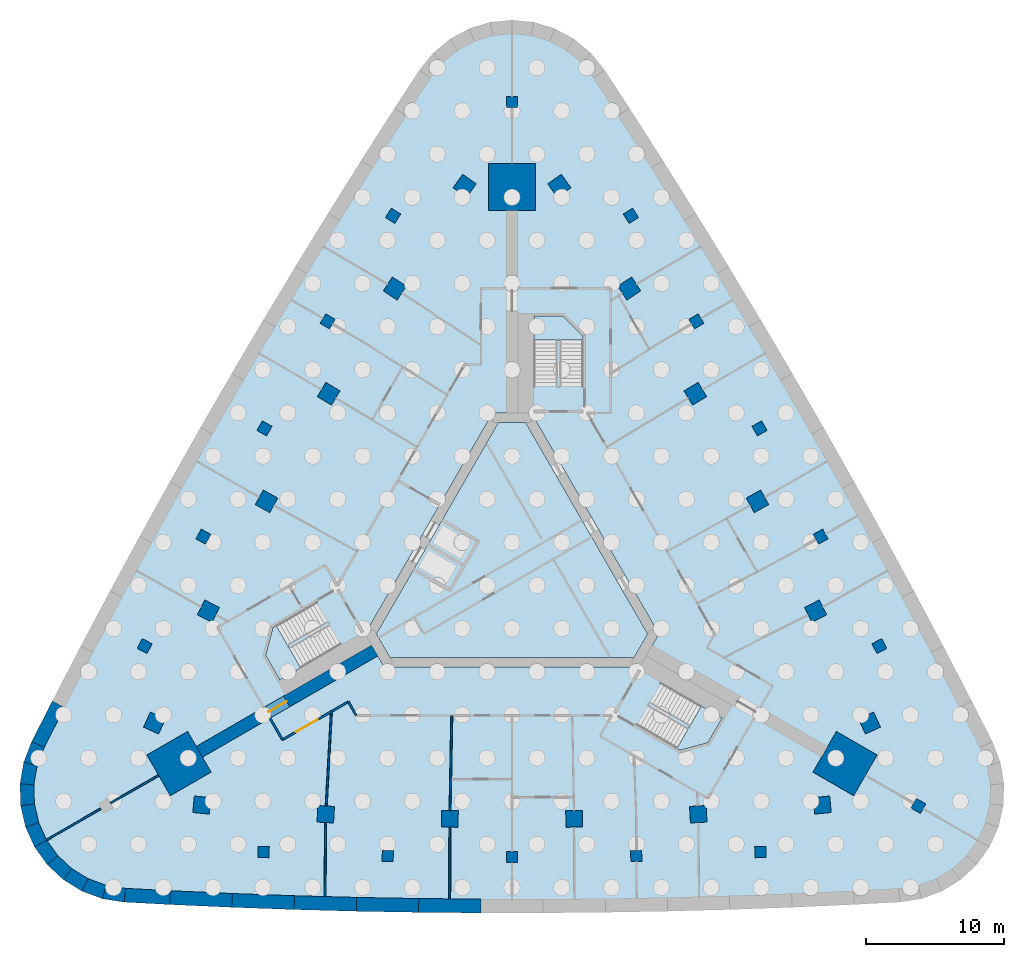
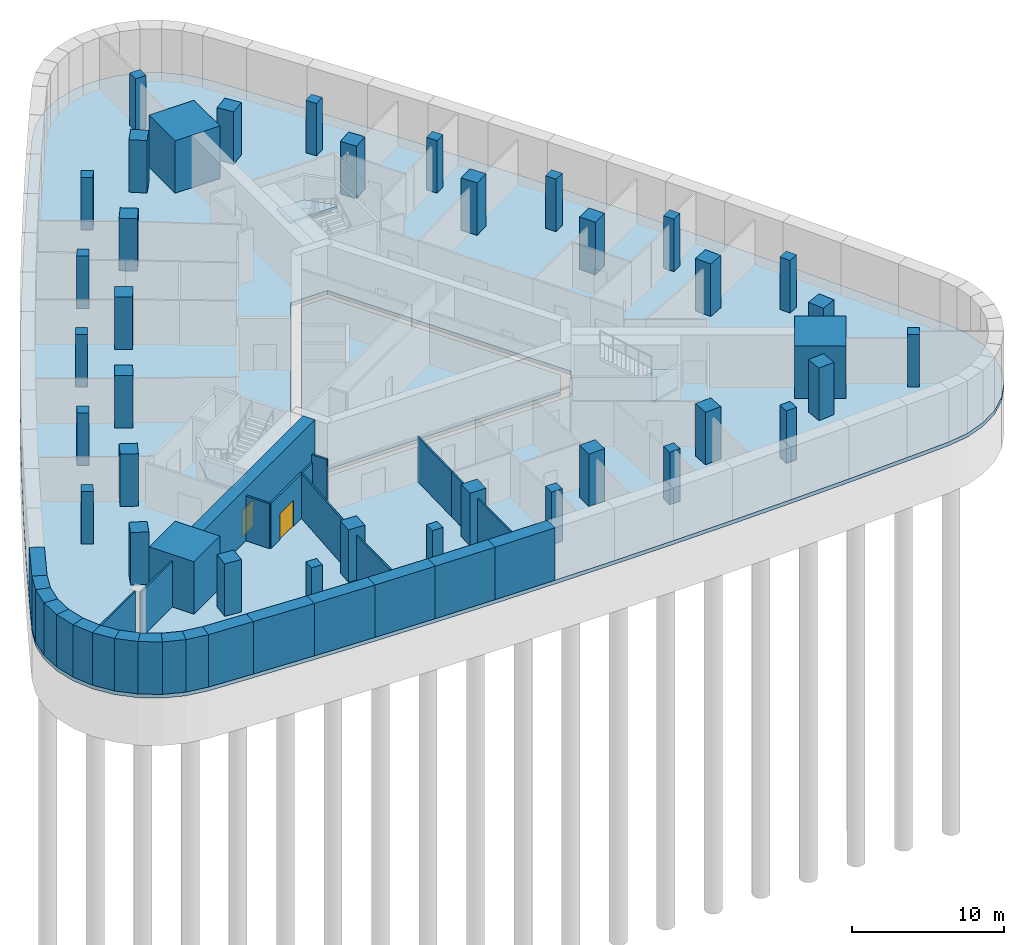
# One storey, part 2 of 9: 38 columns, 29 walls, 5 slabs, 2 doors, 2 openings, 3 elements without a shape of their own.
"""IFC4 building model written with IfcOpenShell, lengths in metres."""

from ifc_helpers import new_model, si_unit, direction, frame, frame_2d, origin, origin_2d, place, context, subcontext, project, spatial, polyline, rectangle, outline, extrude, material, layer, layer_set, material_profile, profile_set, type_object, element, fill, aggregate, save


model = new_model("IFC4")

# Units and contexts
model_context = context("Model", 3, precision=1e-05, world=origin(), true_north=direction((0.0, 1.0)))
body_context = subcontext(model_context, "Body", "Model", "MODEL_VIEW")
ifc_project = project(units=[si_unit("LENGTHUNIT", "METRE"), si_unit("AREAUNIT", "SQUARE_METRE"), si_unit("VOLUMEUNIT", "CUBIC_METRE"), si_unit("PLANEANGLEUNIT", "RADIAN"), si_unit("MASSUNIT", "GRAM", prefix="KILO")], contexts=[model_context])

# Site, building, storey
site_placement = place(None, origin())
site = spatial("IfcSite", under=ifc_project, at=site_placement, CompositionType="ELEMENT")
building_placement = place(site_placement, origin())
building = spatial("IfcBuilding", under=site, at=building_placement, Name="Noor Cloister Tower", CompositionType="ELEMENT")
storey_placement = place(building_placement, frame((0.0, 0.0, -9.0)))
storey = spatial("IfcBuildingStorey", under=building, at=storey_placement, Name="B2", CompositionType="ELEMENT", Elevation=-9.0)

# Columns
ifc_material_1 = material(Name="Concrete C80/95", Category="concrete")
ifc_material_profile_1 = material_profile(ifc_material_1, rectangle(XDim=3.39990234375, YDim=3.39990234375, at=origin_2d()), Name="RC 3400x3400")
ifc_profile_set_1 = profile_set([ifc_material_profile_1], Name="Concrete C80/95")
column_type_1 = type_object("IfcColumnType", Name="Corner pier 3400 x 3400 C80/95", PredefinedType="COLUMN", material=ifc_profile_set_1)
for number, where, z_axis, x_axis, name in (
    (1, (0.0, 27.7890625, -0.300048828125), (0.0, 0.0, 1.0), (0.0, 1.0, 0.0), "Corner pier N B2"),
    (2, (-24.06591796875, -13.89453125, -0.300048828125), (0.0, 0.0, 1.0), (-0.866025403784, -0.5, 0.0), "Corner pier SW B2"),
    (3, (24.06591796875, -13.89453125, -0.300048828125), (0.0, 0.0, 1.0), (0.866025403784, -0.5, 0.0), "Corner pier SE B2"),
):
    element("IfcColumn", number, at=place(storey_placement, frame(where, z_axis=z_axis, x_axis=x_axis)), inside=storey, type_object=column_type_1, Name=name, PredefinedType="COLUMN", context=body_context, shape_type="SweptSolid", body=[
        extrude(rectangle(XDim=3.39990234375, YDim=3.39990234375, at=origin_2d()), origin(), (0.0, 0.0, 1.0), 4.5),
    ])
ifc_material_2 = material(Name="Concrete C80/95", Category="concrete")
ifc_material_profile_2 = material_profile(ifc_material_2, rectangle(XDim=1.199951171875, YDim=1.199951171875, at=origin_2d()), Name="Podium column 1200")
ifc_profile_set_2 = profile_set([ifc_material_profile_2], Name="Concrete C80/95")
column_type_2 = type_object("IfcColumnType", Name="Podium column 1200", PredefinedType="COLUMN", material=ifc_profile_set_2)
for number, where, z_axis, x_axis, name in (
    (4, (-3.421142578125, 27.85986328125, -0.300048828125), (0.0, 0.0, 1.0), (-0.815983256934, 0.578075535205, 0.0), "Column NW 00"),
    (5, (-8.474853515625, 20.43798828125, -0.300048828125), (0.0, 0.0, 1.0), (-0.836867705394, 0.547405191489, 0.0), "Column NW 02"),
    (6, (-13.249755859375, 12.833740234375, -0.300048828125), (0.0, 0.0, 1.0), (-0.856599929156, 0.515981163775, 0.0), "Column NW 04"),
    (7, (-17.7392578125, 5.0576171875, -0.300048828125), (0.0, 0.0, 1.0), (-0.875152760281, 0.483846717641, 0.0), "Column NW 06"),
    (8, (-21.937255859375, -2.879638671875, -0.300048828125), (0.0, 0.0, 1.0), (-0.89250065469, 0.451046096733, 0.0), "Column NW 08"),
    (9, (-25.837890625, -10.96728515625, -0.300048828125), (0.0, 0.0, 1.0), (-0.908619727261, 0.417624461966, 0.0), "Column NW 10"),
    (10, (-22.416748046875, -16.892578125, -0.300048828125), (0.0, 0.0, 1.0), (-0.092636470327, -0.995699997171, 0.0), "Column S 00"),
    (11, (-13.46240234375, -17.558349609375, -0.300048828125), (0.0, 0.0, 1.0), (-0.055632949296, -0.998451288222, 0.0), "Column S 02"),
    (12, (-4.489501953125, -17.8916015625, -0.300048828125), (0.0, 0.0, 1.0), (-0.018552831126, -0.999827881416, 0.0), "Column S 04"),
    (13, (4.489501953125, -17.8916015625, -0.300048828125), (0.0, 0.0, 1.0), (0.018552831126, -0.999827881416, 0.0), "Column S 06"),
    (14, (13.46240234375, -17.558349609375, -0.300048828125), (0.0, 0.0, 1.0), (0.055632949296, -0.998451288222, 0.0), "Column S 08"),
    (15, (22.416748046875, -16.892578125, -0.300048828125), (0.0, 0.0, 1.0), (0.092636470327, -0.995699997171, 0.0), "Column S 10"),
    (16, (25.837890625, -10.96728515625, -0.300048828125), (0.0, 0.0, 1.0), (0.908619727261, 0.417624461966, 0.0), "Column NE 00"),
    (17, (21.937255859375, -2.879638671875, -0.300048828125), (0.0, 0.0, 1.0), (0.89250065469, 0.451046096733, 0.0), "Column NE 02"),
    (18, (17.7392578125, 5.0576171875, -0.300048828125), (0.0, 0.0, 1.0), (0.875152760281, 0.483846717641, 0.0), "Column NE 04"),
    (19, (13.249755859375, 12.833740234375, -0.300048828125), (0.0, 0.0, 1.0), (0.856599929156, 0.515981163775, 0.0), "Column NE 06"),
    (20, (8.474853515625, 20.43798828125, -0.300048828125), (0.0, 0.0, 1.0), (0.836867705394, 0.547405191489, 0.0), "Column NE 08"),
    (21, (3.421142578125, 27.85986328125, -0.300048828125), (0.0, 0.0, 1.0), (0.815983256934, 0.578075535205, 0.0), "Column NE 10"),
):
    element("IfcColumn", number, at=place(storey_placement, frame(where, z_axis=z_axis, x_axis=x_axis)), inside=storey, type_object=column_type_2, Name=name, PredefinedType="COLUMN", context=body_context, shape_type="SweptSolid", body=[
        extrude(rectangle(XDim=1.199951171875, YDim=1.199951171875, at=origin_2d()), origin(), (0.0, 0.0, 1.0), 4.5),
    ])
ifc_material_3 = material(Name="Concrete C60/75", Category="concrete")
ifc_material_profile_3 = material_profile(ifc_material_3, rectangle(XDim=0.800048828125, YDim=0.800048828125, at=origin_2d()), Name="Podium column 800")
ifc_profile_set_3 = profile_set([ifc_material_profile_3], Name="Concrete C60/75")
column_type_3 = type_object("IfcColumnType", Name="Podium column 800", PredefinedType="COLUMN", material=ifc_profile_set_3)
for number, where, z_axis, x_axis, name in (
    (22, (0.0, 33.9130859375, -0.300048828125), (0.0, 0.0, 1.0), (0.0, 1.0, 0.0), "Perimeter column N"),
    (23, (-8.59228515625, 25.694580078125, -0.300048828125), (0.0, 0.0, 1.0), (-0.844762079338, 0.535142064607, 0.0), "Perimeter column NW 01"),
    (24, (-13.31982421875, 18.059326171875, -0.300048828125), (0.0, 0.0, 1.0), (-0.855574189811, 0.517680215702, 0.0), "Perimeter column NW 03"),
    (25, (-17.8896484375, 10.32861328125, -0.300048828125), (0.0, 0.0, 1.0), (-0.866025403784, 0.5, 0.0), "Perimeter column NW 05"),
    (26, (-22.2998046875, 2.505615234375, -0.300048828125), (0.0, 0.0, 1.0), (-0.87611131274, 0.482108875348, 0.0), "Perimeter column NW 07"),
    (27, (-26.54833984375, -5.406005859375, -0.300048828125), (0.0, 0.0, 1.0), (-0.885827662253, 0.464014388557, 0.0), "Perimeter column NW 09"),
    (28, (-17.955810546875, -20.288330078125, -0.300048828125), (0.0, 0.0, 1.0), (-0.041065582914, -0.999156453164, 0.0), "Perimeter column S 01"),
    (29, (-8.979736328125, -20.56494140625, -0.300048828125), (0.0, 0.0, 1.0), (-0.020537122929, -0.99978909105, 0.0), "Perimeter column S 03"),
    (30, (0.0, -20.6572265625, -0.300048828125), (0.0, 0.0, 1.0), (0.0, -1.0, 0.0), "Perimeter column S 05"),
    (31, (8.979736328125, -20.56494140625, -0.300048828125), (0.0, 0.0, 1.0), (0.020537122929, -0.99978909105, 0.0), "Perimeter column S 07"),
    (32, (17.955810546875, -20.288330078125, -0.300048828125), (0.0, 0.0, 1.0), (0.041065582914, -0.999156453164, 0.0), "Perimeter column S 09"),
    (33, (29.36962890625, -16.95654296875, -0.300048828125), (0.0, 0.0, 1.0), (0.866025403784, -0.5, 0.0), "Perimeter column SE"),
    (34, (26.54833984375, -5.406005859375, -0.300048828125), (0.0, 0.0, 1.0), (0.885827662253, 0.464014388557, 0.0), "Perimeter column NE 01"),
    (35, (22.2998046875, 2.505615234375, -0.300048828125), (0.0, 0.0, 1.0), (0.87611131274, 0.482108875348, 0.0), "Perimeter column NE 03"),
    (36, (17.8896484375, 10.32861328125, -0.300048828125), (0.0, 0.0, 1.0), (0.866025403784, 0.5, 0.0), "Perimeter column NE 05"),
    (37, (13.31982421875, 18.059326171875, -0.300048828125), (0.0, 0.0, 1.0), (0.855574189811, 0.517680215702, 0.0), "Perimeter column NE 07"),
    (38, (8.59228515625, 25.694580078125, -0.300048828125), (0.0, 0.0, 1.0), (0.844762079338, 0.535142064607, 0.0), "Perimeter column NE 09"),
):
    element("IfcColumn", number, at=place(storey_placement, frame(where, z_axis=z_axis, x_axis=x_axis)), inside=storey, type_object=column_type_3, Name=name, PredefinedType="COLUMN", context=body_context, shape_type="SweptSolid", body=[
        extrude(rectangle(XDim=0.800048828125, YDim=0.800048828125, at=origin_2d()), origin(), (0.0, 0.0, 1.0), 4.5),
    ])

# Slabs
ifc_material_4 = material(Name="Concrete C40/50", Category="concrete")
ifc_layer_1 = layer(ifc_material_4, 0.300048828125)
ifc_layer_set_1 = layer_set([ifc_layer_1], Name="Basement raft slab 300")
slab_type_1 = type_object("IfcSlabType", Name="Basement raft slab 300", PredefinedType="BASESLAB", material=ifc_layer_set_1)
slab_1_placement = place(storey_placement, frame((0.0, 0.0, -0.300048828125)))
element("IfcSlab", 39, at=slab_1_placement, inside=storey, type_object=slab_type_1, Name="Floor slab B2", PredefinedType="BASESLAB", context=body_context, shape_type="SweptSolid", body=[
    extrude(outline(polyline([(6.693603515625, 36.22509765625), (5.699462890625, 37.45751953125), (4.482177734375, 38.469970703125), (3.08935546875, 39.222900390625), (1.57568359375, 39.686767578125), (0.0, 39.843505859375), (-1.57568359375, 39.686767578125), (-3.08935546875, 39.222900390625), (-4.482177734375, 38.469970703125), (-5.699462890625, 37.45751953125), (-6.693603515625, 36.22509765625), (-8.486083984375, 33.466796875), (-10.908935546875, 29.674560546875), (-13.29736328125, 25.86083984375), (-15.651611328125, 22.02587890625), (-17.971435546875, 18.169677734375), (-20.25634765625, 14.29296875), (-22.50634765625, 10.39599609375), (-24.72119140625, 6.478759765625), (-26.900634765625, 2.541748046875), (-29.044921875, -1.41455078125), (-31.1533203125, -5.389892578125), (-33.22607421875, -9.384033203125), (-34.718505859375, -12.315673828125), (-35.288818359375, -13.792724609375), (-35.55712890625, -15.353271484375), (-35.5126953125, -16.93603515625), (-35.15771484375, -18.47900390625), (-34.505615234375, -19.921875), (-33.58203125, -21.2080078125), (-32.42333984375, -22.287109375), (-31.074951171875, -23.11669921875), (-29.58935546875, -23.66455078125), (-28.02490234375, -23.9091796875), (-24.739990234375, -24.08251953125), (-20.244384765625, -24.28466796875), (-15.747314453125, -24.4462890625), (-11.2490234375, -24.567626953125), (-6.749755859375, -24.6484375), (-2.25, -24.68896484375), (2.25, -24.68896484375), (6.749755859375, -24.6484375), (11.2490234375, -24.567626953125), (15.747314453125, -24.4462890625), (20.244384765625, -24.28466796875), (24.739990234375, -24.08251953125), (28.02490234375, -23.9091796875), (29.58935546875, -23.66455078125), (31.074951171875, -23.11669921875), (32.42333984375, -22.287109375), (33.58203125, -21.2080078125), (34.505615234375, -19.921875), (35.15771484375, -18.47900390625), (35.5126953125, -16.93603515625), (35.55712890625, -15.353271484375), (35.288818359375, -13.792724609375), (34.718505859375, -12.315673828125), (33.22607421875, -9.384033203125), (31.1533203125, -5.389892578125), (29.044921875, -1.41455078125), (26.900634765625, 2.541748046875), (24.72119140625, 6.478759765625), (22.50634765625, 10.39599609375), (20.25634765625, 14.29296875), (17.971435546875, 18.169677734375), (15.651611328125, 22.02587890625), (13.29736328125, 25.86083984375), (10.908935546875, 29.674560546875), (8.486083984375, 33.466796875), (6.693603515625, 36.22509765625)]), holes=[polyline([(-9.228759765625, -6.92822265625), (9.228759765625, -6.92822265625), (10.6142578125, -4.5283203125), (1.3857421875, 11.456298828125), (-1.3857421875, 11.456298828125), (-10.6142578125, -4.5283203125), (-9.228759765625, -6.92822265625)])]), origin(), (0.0, 0.0, 1.0), 0.300048828125),
])
ifc_material_5 = material(Name="Concrete C40/50", Category="concrete")
ifc_layer_2 = layer(ifc_material_5, 0.300048828125)
ifc_layer_set_2 = layer_set([ifc_layer_2], Name="Core floor slab 300 C40/50")
slab_type_2 = type_object("IfcSlabType", Name="Core floor slab 300 C40/50", PredefinedType="FLOOR", material=ifc_layer_set_2)
slab_2_placement = place(storey_placement, frame((0.0, 0.0, -0.300048828125)))
element("IfcSlab", 40, at=slab_2_placement, inside=storey, type_object=slab_type_2, Name="Core floor B2", PredefinedType="FLOOR", context=body_context, shape_type="SweptSolid", body=[
    extrude(outline(polyline([(8.82470703125, -6.228271484375), (9.80615234375, -4.5283203125), (0.9814453125, 10.75634765625), (-0.9814453125, 10.75634765625), (-9.80615234375, -4.5283203125), (-8.82470703125, -6.228271484375), (8.82470703125, -6.228271484375)])), origin(), (0.0, 0.0, 1.0), 0.300048828125),
])

# Stair, slab
ifc_material_6 = material(Name="Concrete C40/50", Category="concrete")
stair_type = type_object("IfcStairType", Name="Exit stair 26 risers", PredefinedType="HALF_TURN_STAIR", material=ifc_material_6)
stair_1_placement = place(storey_placement, origin())
stair_1 = element("IfcStair", 41, at=stair_1_placement, inside=storey, type_object=stair_type, Name="Exit stair ST1 B2", PredefinedType="HALF_TURN_STAIR")
ifc_material_7 = material(Name="Concrete C40/50", Category="concrete")
ifc_layer_3 = layer(ifc_material_7, 0.199951171875)
ifc_layer_set_3 = layer_set([ifc_layer_3], Name="Stair landing 200 C40/50")
slab_type_3 = type_object("IfcSlabType", Name="Stair landing 200 C40/50", PredefinedType="LANDING", material=ifc_layer_set_3)
slab_3_placement = place(storey_placement, frame((0.0, 0.0, 2.050048828125)))
slab_3 = element("IfcSlab", 42, at=slab_3_placement, type_object=slab_type_3, Name="ST1 landing 1", PredefinedType="LANDING", context=body_context, shape_type="SweptSolid", body=[
    extrude(outline(polyline([(5.135498046875, 16.7158203125), (5.135498046875, 16.9736328125), (3.65283203125, 18.456298828125), (1.585693359375, 18.456298828125), (1.585693359375, 16.7158203125), (5.135498046875, 16.7158203125)])), origin(), (0.0, 0.0, 1.0), 0.199951171875),
])
aggregate(stair_1, [slab_3])

stair_2_placement = place(storey_placement, origin())
stair_2 = element("IfcStair", 43, at=stair_2_placement, inside=storey, type_object=stair_type, Name="Exit stair ST2 B2", PredefinedType="HALF_TURN_STAIR")
slab_4_placement = place(storey_placement, frame((0.0, 0.0, 2.050048828125)))
slab_4 = element("IfcSlab", 44, at=slab_4_placement, type_object=slab_type_3, Name="ST2 landing 1", PredefinedType="LANDING", context=body_context, shape_type="SweptSolid", body=[
    extrude(outline(polyline([(-17.044189453125, -3.910400390625), (-17.267333984375, -4.039306640625), (-17.81005859375, -6.064697265625), (-16.776611328125, -7.85498046875), (-15.26904296875, -6.984619140625), (-17.044189453125, -3.910400390625)])), origin(), (0.0, 0.0, 1.0), 0.199951171875),
])
aggregate(stair_2, [slab_4])

stair_3_placement = place(storey_placement, origin())
stair_3 = element("IfcStair", 45, at=stair_3_placement, inside=storey, type_object=stair_type, Name="Exit stair ST3 B2", PredefinedType="HALF_TURN_STAIR")
slab_5_placement = place(storey_placement, frame((0.0, 0.0, 2.050048828125)))
slab_5 = element("IfcSlab", 46, at=slab_5_placement, type_object=slab_type_3, Name="ST3 landing 1", PredefinedType="LANDING", context=body_context, shape_type="SweptSolid", body=[
    extrude(outline(polyline([(11.908447265625, -12.805419921875), (12.131591796875, -12.934326171875), (14.1572265625, -12.3916015625), (15.19091796875, -10.601318359375), (13.68359375, -9.731201171875), (11.908447265625, -12.805419921875)])), origin(), (0.0, 0.0, 1.0), 0.199951171875),
])
aggregate(stair_3, [slab_5])

# Wall, opening, door
ifc_material_8 = material(Name="Concrete C80/95", Category="concrete")
ifc_layer_4 = layer(ifc_material_8, 0.89990234375)
ifc_layer_set_4 = layer_set([ifc_layer_4], Name="Buttress wall 900 C80/95")
wall_type_1 = type_object("IfcWallType", Name="Buttress wall 900 C80/95", PredefinedType="SHEAR", material=ifc_layer_set_4)
wall_1_placement = place(storey_placement, frame((-9.921630859375, -5.728271484375, -0.300048828125), z_axis=(0.0, 0.0, 1.0), x_axis=(-0.866028046028, -0.499995423472, 0.0)))
wall_1 = element("IfcWall", 47, at=wall_1_placement, inside=storey, type_object=wall_type_1, Name="Buttress wall SW B2", PredefinedType="SHEAR", context=body_context, shape_type="SweptSolid", body=[
    extrude(rectangle(XDim=14.632568359375, YDim=0.89990234375, at=frame_2d((7.31640625, 0.0))), origin(), (0.0, 0.0, 1.0), 4.5),
])
opening_1_placement = place(wall_1_placement, frame((7.35009765625, 0.0, 0.300048828125)))
opening_1 = element("IfcOpeningElement", 48, at=opening_1_placement, cuts=wall_1, Name="Opening B2-029", PredefinedType="OPENING", context=body_context, shape_type="SweptSolid", body=[
    extrude(rectangle(XDim=1.5, YDim=2.10009765625, at=frame_2d((0.75, 1.050048828125))), frame((0.0, 0.4599609375, 0.0), z_axis=(0.0, -1.0, 0.0), x_axis=(1.0, 0.0, 0.0)), (0.0, 0.0, 1.0), 0.919921875),
])
ifc_material_9 = material(Name="Steel fire door", Category="steel")
door_type_1 = type_object("IfcDoorType", Name="Smoke barrier door FD60 1500", OperationType="DOUBLE_DOOR_SINGLE_SWING", PredefinedType="DOOR", material=ifc_material_9)
door_1_placement = place(opening_1_placement, origin())
door_1 = element("IfcDoor", 49, at=door_1_placement, inside=storey, type_object=door_type_1, Name="Door B2-029", OperationType="DOUBLE_DOOR_SINGLE_SWING", OverallHeight=2.10009765625, OverallWidth=1.5, PredefinedType="DOOR", context=body_context, shape_type="SweptSolid", body=[
    extrude(rectangle(XDim=1.5, YDim=2.10009765625, at=frame_2d((0.75, 1.050048828125))), frame((0.0, 0.02490234375, 0.0), z_axis=(0.0, -1.0, 0.0), x_axis=(1.0, 0.0, 0.0)), (0.0, 0.0, 1.0), 0.050048828125),
])
fill(opening_1, door_1)

ifc_material_10 = material(Name="Plasterboard on steel studs", Category="steel")
ifc_layer_5 = layer(ifc_material_10, 0.14990234375)
ifc_layer_set_5 = layer_set([ifc_layer_5], Name="Corridor wall 150")
wall_type_2 = type_object("IfcWallType", Name="Corridor wall 150", PredefinedType="PARTITIONING", material=ifc_layer_set_5)
wall_2_placement = place(storey_placement, frame((-13.044921875, -10.1298828125, 0.0), z_axis=(0.0, 0.0, 1.0), x_axis=(-0.866035577775, -0.499982377718, 0.0)))
wall_2 = element("IfcWall", 50, at=wall_2_placement, inside=storey, type_object=wall_type_2, Name="Partition", PredefinedType="PARTITIONING", context=body_context, shape_type="SweptSolid", body=[
    extrude(rectangle(XDim=4.092529296875, YDim=0.14990234375, at=frame_2d((2.04638671875, 0.0))), origin(), (0.0, 0.0, 1.0), 3.587890625),
])
opening_2_placement = place(wall_2_placement, frame((1.14990234375, 0.0, 0.0)))
opening_2 = element("IfcOpeningElement", 51, at=opening_2_placement, cuts=wall_2, Name="Opening B2-005", PredefinedType="OPENING", context=body_context, shape_type="SweptSolid", body=[
    extrude(rectangle(XDim=1.800048828125, YDim=2.10009765625, at=frame_2d((0.89990234375, 1.050048828125))), frame((0.0, 0.0849609375, 0.0), z_axis=(0.0, -1.0, 0.0), x_axis=(1.0, 0.0, 0.0)), (0.0, 0.0, 1.0), 0.169921875),
])
ifc_material_11 = material(Name="Timber door leaf", Category="wood")
door_type_2 = type_object("IfcDoorType", Name="Double leaf door 1800", OperationType="DOUBLE_DOOR_SINGLE_SWING", PredefinedType="DOOR", material=ifc_material_11)
door_2_placement = place(opening_2_placement, origin())
door_2 = element("IfcDoor", 52, at=door_2_placement, inside=storey, type_object=door_type_2, Name="Door B2-005", OperationType="DOUBLE_DOOR_SINGLE_SWING", OverallHeight=2.10009765625, OverallWidth=1.800048828125, PredefinedType="DOOR", context=body_context, shape_type="SweptSolid", body=[
    extrude(rectangle(XDim=1.800048828125, YDim=2.10009765625, at=frame_2d((0.89990234375, 1.050048828125))), frame((0.0, 0.02490234375, 0.0), z_axis=(0.0, -1.0, 0.0), x_axis=(1.0, 0.0, 0.0)), (0.0, 0.0, 1.0), 0.050048828125),
])
fill(opening_2, door_2)

# Walls
wall_3_placement = place(storey_placement, frame((-16.591064453125, -12.176025390625, 0.0), z_axis=(0.0, 0.0, 1.0), x_axis=(-0.499965372359, 0.866045395139, 0.0)))
element("IfcWall", 53, at=wall_3_placement, inside=storey, type_object=wall_type_2, Name="Partition", PredefinedType="PARTITIONING", context=body_context, shape_type="SweptSolid", body=[
    extrude(rectangle(XDim=1.798095703125, YDim=0.14990234375, at=frame_2d((0.89892578125, 0.0))), origin(), (0.0, 0.0, 1.0), 3.587890625),
])
wall_4_placement = place(storey_placement, frame((-11.2490234375, -10.427978515625, 0.0), z_axis=(0.0, 0.0, 1.0), x_axis=(-0.499978438088, 0.866037852202, 0.0)))
element("IfcWall", 54, at=wall_4_placement, inside=storey, type_object=wall_type_2, Name="Partition", PredefinedType="PARTITIONING", context=body_context, shape_type="SweptSolid", body=[
    extrude(rectangle(XDim=1.15576171875, YDim=0.14990234375, at=frame_2d((0.577880859375, 0.0))), origin(), (0.0, 0.0, 1.0), 4.199951171875),
])
wall_5_placement = place(storey_placement, frame((-11.827880859375, -9.427001953125, 0.0), z_axis=(0.0, 0.0, 1.0), x_axis=(-0.866110865696, -0.499851946404, 0.0)))
element("IfcWall", 55, at=wall_5_placement, inside=storey, type_object=wall_type_2, Name="Partition", PredefinedType="PARTITIONING", context=body_context, shape_type="SweptSolid", body=[
    extrude(rectangle(XDim=1.41455078125, YDim=0.14990234375, at=frame_2d((0.707275390625, 0.0))), origin(), (0.0, 0.0, 1.0), 3.587890625),
])
ifc_material_12 = material(Name="Concrete C50/60", Category="concrete")
ifc_layer_6 = layer(ifc_material_12, 1.0)
ifc_layer_set_6 = layer_set([ifc_layer_6], Name="Diaphragm wall 1000")
wall_type_3 = type_object("IfcWallType", Name="Diaphragm wall 1000", PredefinedType="SOLIDWALL", material=ifc_layer_set_6)
wall_6_placement = place(storey_placement, origin())
element("IfcWall", 56, at=wall_6_placement, inside=storey, type_object=wall_type_3, Name="Basement wall 23", PredefinedType="SOLIDWALL", context=body_context, shape_type="SweptSolid", body=[
    extrude(outline(polyline([(-33.22607421875, -9.384033203125), (-34.718505859375, -12.315673828125), (-33.80419921875, -12.723876953125), (-32.336669921875, -9.84130859375), (-33.22607421875, -9.384033203125)])), origin(), (0.0, 0.0, 1.0), 4.199951171875),
])
wall_7_placement = place(storey_placement, origin())
element("IfcWall", 57, at=wall_7_placement, inside=storey, type_object=wall_type_3, Name="Basement wall 24", PredefinedType="SOLIDWALL", context=body_context, shape_type="SweptSolid", body=[
    extrude(outline(polyline([(-34.718505859375, -12.315673828125), (-35.288818359375, -13.792724609375), (-34.320068359375, -14.060302734375), (-33.80419921875, -12.723876953125), (-34.718505859375, -12.315673828125)])), origin(), (0.0, 0.0, 1.0), 4.199951171875),
])
wall_8_placement = place(storey_placement, origin())
element("IfcWall", 58, at=wall_8_placement, inside=storey, type_object=wall_type_3, Name="Basement wall 25", PredefinedType="SOLIDWALL", context=body_context, shape_type="SweptSolid", body=[
    extrude(outline(polyline([(-35.288818359375, -13.792724609375), (-35.55712890625, -15.353271484375), (-34.5546875, -15.424560546875), (-34.320068359375, -14.060302734375), (-35.288818359375, -13.792724609375)])), origin(), (0.0, 0.0, 1.0), 4.199951171875),
])
wall_9_placement = place(storey_placement, origin())
element("IfcWall", 59, at=wall_9_placement, inside=storey, type_object=wall_type_3, Name="Basement wall 26", PredefinedType="SOLIDWALL", context=body_context, shape_type="SweptSolid", body=[
    extrude(outline(polyline([(-35.55712890625, -15.353271484375), (-35.5126953125, -16.93603515625), (-34.515869140625, -16.80859375), (-34.5546875, -15.424560546875), (-35.55712890625, -15.353271484375)])), origin(), (0.0, 0.0, 1.0), 4.199951171875),
])
wall_10_placement = place(storey_placement, origin())
element("IfcWall", 60, at=wall_10_placement, inside=storey, type_object=wall_type_3, Name="Basement wall 27", PredefinedType="SOLIDWALL", context=body_context, shape_type="SweptSolid", body=[
    extrude(outline(polyline([(-35.5126953125, -16.93603515625), (-35.15771484375, -18.47900390625), (-34.205322265625, -18.15771484375), (-34.515869140625, -16.80859375), (-35.5126953125, -16.93603515625)])), origin(), (0.0, 0.0, 1.0), 4.199951171875),
])
wall_11_placement = place(storey_placement, origin())
element("IfcWall", 61, at=wall_11_placement, inside=storey, type_object=wall_type_3, Name="Basement wall 28", PredefinedType="SOLIDWALL", context=body_context, shape_type="SweptSolid", body=[
    extrude(outline(polyline([(-35.15771484375, -18.47900390625), (-34.505615234375, -19.921875), (-33.63525390625, -19.41943359375), (-34.205322265625, -18.15771484375), (-35.15771484375, -18.47900390625)])), origin(), (0.0, 0.0, 1.0), 4.199951171875),
])
wall_12_placement = place(storey_placement, origin())
element("IfcWall", 62, at=wall_12_placement, inside=storey, type_object=wall_type_3, Name="Basement wall 29", PredefinedType="SOLIDWALL", context=body_context, shape_type="SweptSolid", body=[
    extrude(outline(polyline([(-34.505615234375, -19.921875), (-33.58203125, -21.2080078125), (-32.827880859375, -20.5439453125), (-33.63525390625, -19.41943359375), (-34.505615234375, -19.921875)])), origin(), (0.0, 0.0, 1.0), 4.199951171875),
])
wall_13_placement = place(storey_placement, origin())
element("IfcWall", 63, at=wall_13_placement, inside=storey, type_object=wall_type_3, Name="Basement wall 30", PredefinedType="SOLIDWALL", context=body_context, shape_type="SweptSolid", body=[
    extrude(outline(polyline([(-33.58203125, -21.2080078125), (-32.42333984375, -22.287109375), (-31.814697265625, -21.4873046875), (-32.827880859375, -20.5439453125), (-33.58203125, -21.2080078125)])), origin(), (0.0, 0.0, 1.0), 4.199951171875),
])
wall_14_placement = place(storey_placement, origin())
element("IfcWall", 64, at=wall_14_placement, inside=storey, type_object=wall_type_3, Name="Basement wall 31", PredefinedType="SOLIDWALL", context=body_context, shape_type="SweptSolid", body=[
    extrude(outline(polyline([(-32.42333984375, -22.287109375), (-31.074951171875, -23.11669921875), (-30.635498046875, -22.212890625), (-31.814697265625, -21.4873046875), (-32.42333984375, -22.287109375)])), origin(), (0.0, 0.0, 1.0), 4.199951171875),
])
wall_15_placement = place(storey_placement, origin())
element("IfcWall", 65, at=wall_15_placement, inside=storey, type_object=wall_type_3, Name="Basement wall 32", PredefinedType="SOLIDWALL", context=body_context, shape_type="SweptSolid", body=[
    extrude(outline(polyline([(-31.074951171875, -23.11669921875), (-29.58935546875, -23.66455078125), (-29.336669921875, -22.69189453125), (-30.635498046875, -22.212890625), (-31.074951171875, -23.11669921875)])), origin(), (0.0, 0.0, 1.0), 4.199951171875),
])
wall_16_placement = place(storey_placement, origin())
element("IfcWall", 66, at=wall_16_placement, inside=storey, type_object=wall_type_3, Name="Basement wall 33", PredefinedType="SOLIDWALL", context=body_context, shape_type="SweptSolid", body=[
    extrude(outline(polyline([(-29.58935546875, -23.66455078125), (-28.02490234375, -23.9091796875), (-27.921142578125, -22.913330078125), (-29.336669921875, -22.69189453125), (-29.58935546875, -23.66455078125)])), origin(), (0.0, 0.0, 1.0), 4.199951171875),
])
wall_17_placement = place(storey_placement, origin())
element("IfcWall", 67, at=wall_17_placement, inside=storey, type_object=wall_type_3, Name="Basement wall 34", PredefinedType="SOLIDWALL", context=body_context, shape_type="SweptSolid", body=[
    extrude(outline(polyline([(-28.02490234375, -23.9091796875), (-24.739990234375, -24.08251953125), (-24.691162109375, -23.083740234375), (-27.921142578125, -22.913330078125), (-28.02490234375, -23.9091796875)])), origin(), (0.0, 0.0, 1.0), 4.199951171875),
])
wall_18_placement = place(storey_placement, origin())
element("IfcWall", 68, at=wall_18_placement, inside=storey, type_object=wall_type_3, Name="Basement wall 35", PredefinedType="SOLIDWALL", context=body_context, shape_type="SweptSolid", body=[
    extrude(outline(polyline([(-24.739990234375, -24.08251953125), (-20.244384765625, -24.28466796875), (-20.2041015625, -23.285400390625), (-24.691162109375, -23.083740234375), (-24.739990234375, -24.08251953125)])), origin(), (0.0, 0.0, 1.0), 4.199951171875),
])
wall_19_placement = place(storey_placement, origin())
element("IfcWall", 69, at=wall_19_placement, inside=storey, type_object=wall_type_3, Name="Basement wall 36", PredefinedType="SOLIDWALL", context=body_context, shape_type="SweptSolid", body=[
    extrude(outline(polyline([(-20.244384765625, -24.28466796875), (-15.747314453125, -24.4462890625), (-15.716064453125, -23.44677734375), (-20.2041015625, -23.285400390625), (-20.244384765625, -24.28466796875)])), origin(), (0.0, 0.0, 1.0), 4.199951171875),
])
wall_20_placement = place(storey_placement, origin())
element("IfcWall", 70, at=wall_20_placement, inside=storey, type_object=wall_type_3, Name="Basement wall 37", PredefinedType="SOLIDWALL", context=body_context, shape_type="SweptSolid", body=[
    extrude(outline(polyline([(-15.747314453125, -24.4462890625), (-11.2490234375, -24.567626953125), (-11.2265625, -23.56787109375), (-15.716064453125, -23.44677734375), (-15.747314453125, -24.4462890625)])), origin(), (0.0, 0.0, 1.0), 4.199951171875),
])
wall_21_placement = place(storey_placement, origin())
element("IfcWall", 71, at=wall_21_placement, inside=storey, type_object=wall_type_3, Name="Basement wall 38", PredefinedType="SOLIDWALL", context=body_context, shape_type="SweptSolid", body=[
    extrude(outline(polyline([(-11.2490234375, -24.567626953125), (-6.749755859375, -24.6484375), (-6.736328125, -23.648681640625), (-11.2265625, -23.56787109375), (-11.2490234375, -24.567626953125)])), origin(), (0.0, 0.0, 1.0), 4.199951171875),
])
wall_22_placement = place(storey_placement, origin())
element("IfcWall", 72, at=wall_22_placement, inside=storey, type_object=wall_type_3, Name="Basement wall 39", PredefinedType="SOLIDWALL", context=body_context, shape_type="SweptSolid", body=[
    extrude(outline(polyline([(-6.749755859375, -24.6484375), (-2.25, -24.68896484375), (-2.24560546875, -23.68896484375), (-6.736328125, -23.648681640625), (-6.749755859375, -24.6484375)])), origin(), (0.0, 0.0, 1.0), 4.199951171875),
])
ifc_material_13 = material(Name="Plasterboard on steel studs", Category="steel")
ifc_layer_7 = layer(ifc_material_13, 0.1201171875)
ifc_layer_set_7 = layer_set([ifc_layer_7], Name="Partition wall 120")
wall_type_4 = type_object("IfcWallType", Name="Partition wall 120", PredefinedType="PARTITIONING", material=ifc_layer_set_7)
wall_23_placement = place(storey_placement, frame((-4.490966796875, -18.491943359375, 0.0), z_axis=(0.0, 0.0, 1.0), x_axis=(-0.00292382622, -0.999995725611, 0.0)))
element("IfcWall", 73, at=wall_23_placement, inside=storey, type_object=wall_type_4, Name="Partition", PredefinedType="PARTITIONING", context=body_context, shape_type="SweptSolid", body=[
    extrude(rectangle(XDim=5.177001953125, YDim=0.1201171875, at=frame_2d((2.58837890625, 0.0))), origin(), (0.0, 0.0, 1.0), 3.5830078125),
])
wall_24_placement = place(storey_placement, frame((-4.43603515625, -15.02392578125, 0.0), z_axis=(0.0, 0.0, 1.0), x_axis=(-0.018519330436, -0.999828502494, 0.0)))
element("IfcWall", 74, at=wall_24_placement, inside=storey, type_object=wall_type_4, Name="Partition", PredefinedType="PARTITIONING", context=body_context, shape_type="SweptSolid", body=[
    extrude(rectangle(XDim=2.267578125, YDim=0.1201171875, at=frame_2d((1.1337890625, 0.0))), origin(), (0.0, 0.0, 1.0), 3.587890625),
])
wall_25_placement = place(storey_placement, frame((-13.51708984375, -23.506103515625, 0.0), z_axis=(0.0, 0.0, 1.0), x_axis=(0.00917685765, 0.999957891755, 0.0)))
element("IfcWall", 75, at=wall_25_placement, inside=storey, type_object=wall_type_4, Name="Partition", PredefinedType="PARTITIONING", context=body_context, shape_type="SweptSolid", body=[
    extrude(rectangle(XDim=5.347412109375, YDim=0.1201171875, at=frame_2d((2.673828125, 0.0))), origin(), (0.0, 0.0, 1.0), 3.5830078125),
])
wall_26_placement = place(storey_placement, frame((-13.428955078125, -16.9599609375, 0.0), z_axis=(0.0, 0.0, 1.0), x_axis=(0.055551088657, 0.998455846069, 0.0)))
element("IfcWall", 76, at=wall_26_placement, inside=storey, type_object=wall_type_4, Name="Partition", PredefinedType="PARTITIONING", context=body_context, shape_type="SweptSolid", body=[
    extrude(rectangle(XDim=6.83837890625, YDim=0.1201171875, at=frame_2d((3.419189453125, 0.0))), origin(), (0.0, 0.0, 1.0), 3.587890625),
])
wall_27_placement = place(storey_placement, frame((-29.716064453125, -17.156982421875, 0.0), z_axis=(0.0, 0.0, 1.0), x_axis=(-0.866032814021, -0.499987164874, 0.0)))
element("IfcWall", 77, at=wall_27_placement, inside=storey, type_object=wall_type_4, Name="Partition", PredefinedType="PARTITIONING", context=body_context, shape_type="SweptSolid", body=[
    extrude(rectangle(XDim=4.52392578125, YDim=0.1201171875, at=frame_2d((2.261962890625, 0.0))), origin(), (0.0, 0.0, 1.0), 4.199951171875),
])
wall_28_placement = place(storey_placement, frame((-25.5380859375, -14.7451171875, 0.0), z_axis=(0.0, 0.0, 1.0), x_axis=(-0.866027971625, -0.499995552344, 0.0)))
element("IfcWall", 78, at=wall_28_placement, inside=storey, type_object=wall_type_4, Name="Partition", PredefinedType="PARTITIONING", context=body_context, shape_type="SweptSolid", body=[
    extrude(rectangle(XDim=4.02392578125, YDim=0.1201171875, at=frame_2d((2.011962890625, 0.0))), origin(), (0.0, 0.0, 1.0), 3.6669921875),
])
wall_29_placement = place(storey_placement, frame((-4.43603515625, -15.027099609375, 0.0), z_axis=(0.0, 0.0, 1.0), x_axis=(0.018474068719, 0.99982933983, 0.0)))
element("IfcWall", 79, at=wall_29_placement, inside=storey, type_object=wall_type_4, Name="Partition", PredefinedType="PARTITIONING", context=body_context, shape_type="SweptSolid", body=[
    extrude(rectangle(XDim=4.598876953125, YDim=0.1201171875, at=frame_2d((2.29931640625, 0.0))), origin(), (0.0, 0.0, 1.0), 3.587890625),
])

save(model, "model.ifc")
